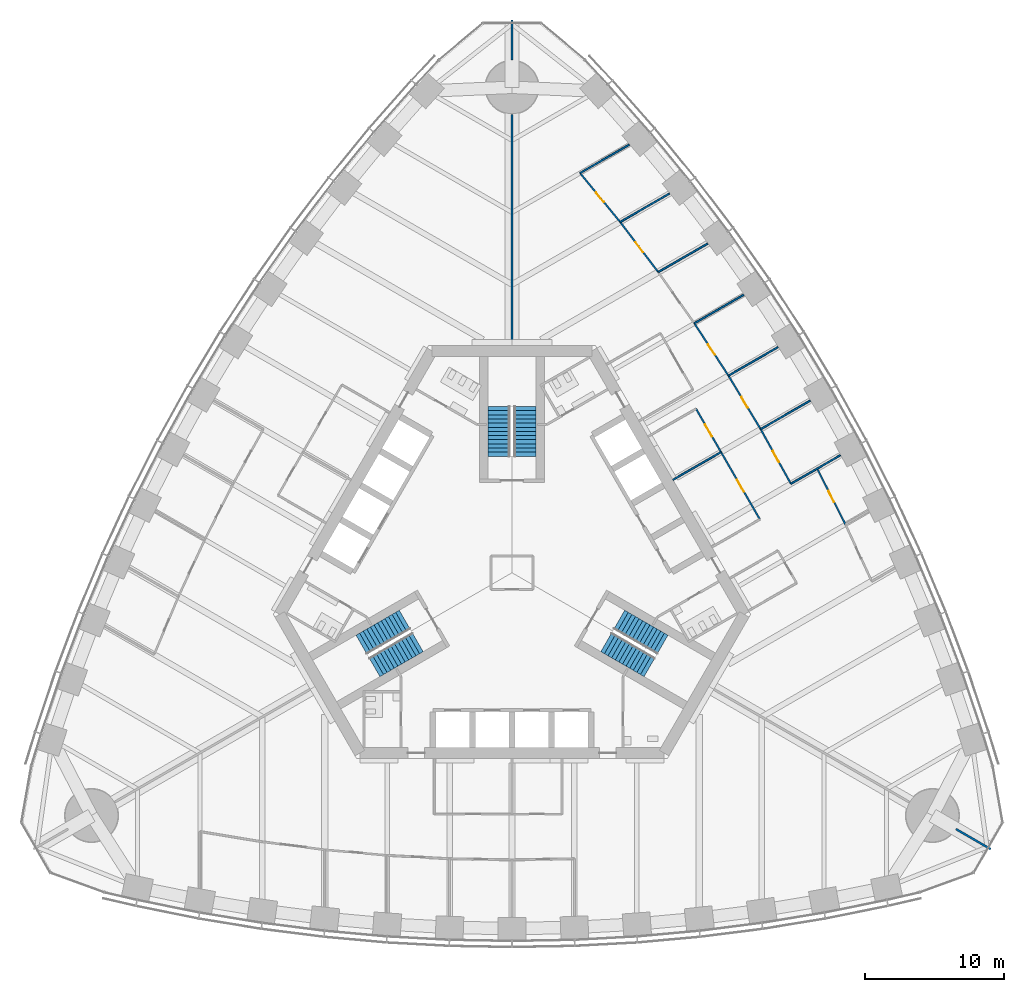
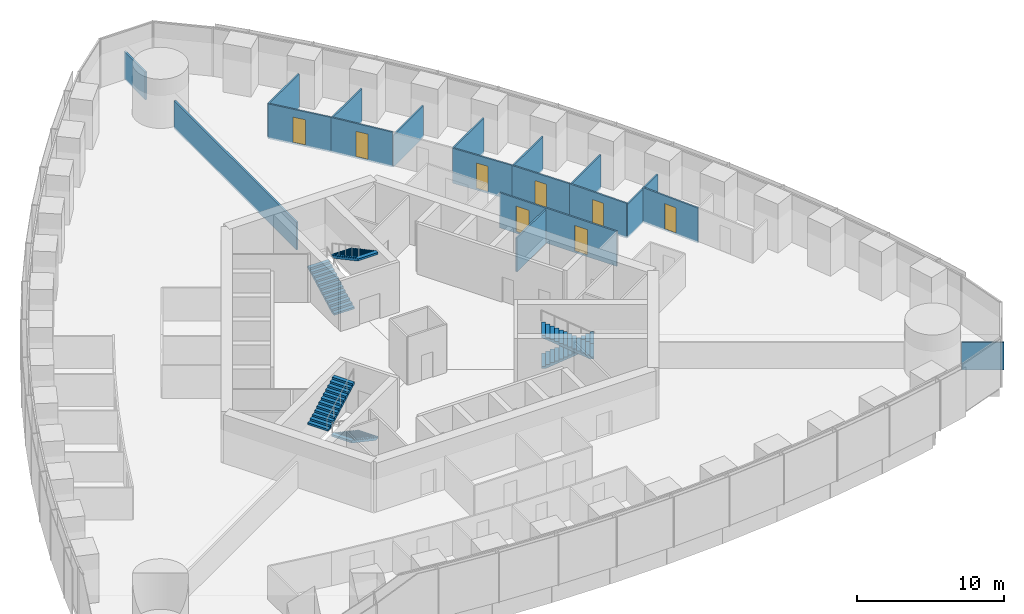
# One storey, part 13 of 18: 19 walls, 8 doors, 6 stair flights, 8 openings, 3 elements without a shape of their own.
"""IFC4 building model written with IfcOpenShell, lengths in metres."""

from ifc_helpers import new_model, si_unit, direction, frame, frame_2d, origin, place, context, subcontext, project, spatial, polyline, rectangle, outline, extrude, material, layer, layer_set, type_object, element, fill, aggregate, save


model = new_model("IFC4")

# Units and contexts
model_context = context("Model", 3, precision=1e-05, world=origin(), true_north=direction((0.0, 1.0)))
body_context = subcontext(model_context, "Body", "Model", "MODEL_VIEW")
ifc_project = project(units=[si_unit("LENGTHUNIT", "METRE"), si_unit("AREAUNIT", "SQUARE_METRE"), si_unit("VOLUMEUNIT", "CUBIC_METRE"), si_unit("PLANEANGLEUNIT", "RADIAN"), si_unit("MASSUNIT", "GRAM", prefix="KILO")], contexts=[model_context])

# Site, building, storey
site_placement = place(None, origin())
site = spatial("IfcSite", under=ifc_project, at=site_placement, CompositionType="ELEMENT")
building_placement = place(site_placement, origin())
building = spatial("IfcBuilding", under=site, at=building_placement, Name="Trefoil Bronze Tower", CompositionType="ELEMENT")
storey_placement = place(building_placement, frame((0.0, 0.0, 157.699951171875)))
storey = spatial("IfcBuildingStorey", under=building, at=storey_placement, Name="L36", CompositionType="ELEMENT", Elevation=157.699951171875)

# Wall, opening, door
ifc_material_1 = material(Name="Glazed partition", Category="glass")
ifc_layer_1 = layer(ifc_material_1, 0.1201171875)
ifc_layer_set_1 = layer_set([ifc_layer_1], Name="Glazed partition 120")
wall_type_1 = type_object("IfcWallType", Name="Glazed partition 120", PredefinedType="PARTITIONING", material=ifc_layer_set_1)
wall_1_placement = place(storey_placement, frame((15.06884765625, 8.699951171875, 0.0), z_axis=(0.0, 0.0, 1.0), x_axis=(-0.500012057535, 0.866018442252, 0.0)))
wall_1 = element("IfcWall", 1, at=wall_1_placement, inside=storey, type_object=wall_type_1, Name="Partition F2 L36", PredefinedType="PARTITIONING", context=body_context, shape_type="SweptSolid", body=[
    extrude(rectangle(XDim=3.60009765625, YDim=0.1201171875, at=frame_2d((1.800048828125, 0.0))), origin(), (0.0, 0.0, 1.0), 2.900146484375),
])
opening_1_placement = place(wall_1_placement, frame((1.300048828125, 0.0, 0.14990234375)))
opening_1 = element("IfcOpeningElement", 2, at=opening_1_placement, cuts=wall_1, Name="Opening D9", PredefinedType="OPENING", context=body_context, shape_type="SweptSolid", body=[
    extrude(rectangle(XDim=1.0, YDim=2.10009765625, at=frame_2d((0.5, 1.050048828125))), frame((0.0, 0.070068359375, 0.0), z_axis=(0.0, -1.0, 0.0), x_axis=(1.0, 0.0, 0.0)), (0.0, 0.0, 1.0), 0.14013671875),
])
ifc_material_2 = material(Name="Glazed timber door", Category="wood")
door_type_1 = type_object("IfcDoorType", Name="Meeting room door 1000", OperationType="SINGLE_SWING_LEFT", PredefinedType="DOOR", material=ifc_material_2)
door_1_placement = place(opening_1_placement, origin())
door_1 = element("IfcDoor", 3, at=door_1_placement, inside=storey, type_object=door_type_1, Name="Meeting room door F2 L36", OperationType="SINGLE_SWING_LEFT", OverallHeight=2.10009765625, OverallWidth=1.0, PredefinedType="DOOR", context=body_context, shape_type="SweptSolid", body=[
    extrude(rectangle(XDim=1.0, YDim=2.10009765625, at=frame_2d((0.5, 1.050048828125))), frame((0.0, 0.02490234375, 0.0), z_axis=(0.0, -1.0, 0.0), x_axis=(1.0, 0.0, 0.0)), (0.0, 0.0, 1.0), 0.050048828125),
])
fill(opening_1, door_1)

wall_2_placement = place(storey_placement, frame((17.868896484375, 3.850341796875, 0.0), z_axis=(0.0, 0.0, 1.0), x_axis=(-0.500016814911, 0.866015695474, 0.0)))
wall_2 = element("IfcWall", 4, at=wall_2_placement, inside=storey, type_object=wall_type_1, Name="Partition F2 L36", PredefinedType="PARTITIONING", context=body_context, shape_type="SweptSolid", body=[
    extrude(rectangle(XDim=5.599853515625, YDim=0.1201171875, at=frame_2d((2.7998046875, 0.0))), origin(), (0.0, 0.0, 1.0), 2.900146484375),
])
opening_2_placement = place(wall_2_placement, frame((2.300048828125, 0.0, 0.14990234375)))
opening_2 = element("IfcOpeningElement", 5, at=opening_2_placement, cuts=wall_2, Name="Opening D9", PredefinedType="OPENING", context=body_context, shape_type="SweptSolid", body=[
    extrude(rectangle(XDim=1.0, YDim=2.10009765625, at=frame_2d((0.5, 1.050048828125))), frame((0.0, 0.070068359375, 0.0), z_axis=(0.0, -1.0, 0.0), x_axis=(1.0, 0.0, 0.0)), (0.0, 0.0, 1.0), 0.14013671875),
])
door_2_placement = place(opening_2_placement, origin())
door_2 = element("IfcDoor", 6, at=door_2_placement, inside=storey, type_object=door_type_1, Name="Meeting room door F2 L36", OperationType="SINGLE_SWING_RIGHT", OverallHeight=2.10009765625, OverallWidth=1.0, PredefinedType="DOOR", context=body_context, shape_type="SweptSolid", body=[
    extrude(rectangle(XDim=1.0, YDim=2.10009765625, at=frame_2d((0.5, 1.050048828125))), frame((0.0, 0.02490234375, 0.0), z_axis=(0.0, -1.0, 0.0), x_axis=(1.0, 0.0, 0.0)), (0.0, 0.0, 1.0), 0.050048828125),
])
fill(opening_2, door_2)

# Wall
wall_3_placement = place(storey_placement, frame((11.604736328125, 6.699951171875, 0.0), z_axis=(0.0, 0.0, 1.0), x_axis=(0.866026010844, 0.49999894854, 0.0)))
element("IfcWall", 7, at=wall_3_placement, inside=storey, type_object=wall_type_1, Name="Partition F2 L36", PredefinedType="PARTITIONING", context=body_context, shape_type="SweptSolid", body=[
    extrude(rectangle(XDim=4.0, YDim=0.1201171875, at=frame_2d((2.0, 0.0))), origin(), (0.0, 0.0, 1.0), 2.800048828125),
])

# Wall, opening, door
wall_4_placement = place(storey_placement, frame((17.926513671875, 10.349853515625, 0.0), z_axis=(0.0, 0.0, 1.0), x_axis=(-0.515548366618, 0.856860479703, 0.0)))
wall_4 = element("IfcWall", 8, at=wall_4_placement, inside=storey, type_object=wall_type_1, Name="Partition F2 L36", PredefinedType="PARTITIONING", context=body_context, shape_type="SweptSolid", body=[
    extrude(rectangle(XDim=4.500732421875, YDim=0.1201171875, at=frame_2d((2.25048828125, 0.0))), origin(), (0.0, 0.0, 1.0), 2.900146484375),
])
opening_3_placement = place(wall_4_placement, frame((1.800048828125, 0.0, 0.14990234375)))
opening_3 = element("IfcOpeningElement", 9, at=opening_3_placement, cuts=wall_4, Name="Opening D8", PredefinedType="OPENING", context=body_context, shape_type="SweptSolid", body=[
    extrude(rectangle(XDim=0.89990234375, YDim=2.10009765625, at=frame_2d((0.449951171875, 1.050048828125))), frame((0.0, 0.070068359375, 0.0), z_axis=(0.0, -1.0, 0.0), x_axis=(1.0, 0.0, 0.0)), (0.0, 0.0, 1.0), 0.14013671875),
])
ifc_material_3 = material(Name="Timber door", Category="wood")
door_type_2 = type_object("IfcDoorType", Name="Office door 900", OperationType="SINGLE_SWING_LEFT", PredefinedType="DOOR", material=ifc_material_3)
door_3_placement = place(opening_3_placement, frame((0.89990234375, 0.0, 0.0), z_axis=(0.0, 0.0, 1.0), x_axis=(-1.0, 0.0, 0.0)))
door_3 = element("IfcDoor", 10, at=door_3_placement, inside=storey, type_object=door_type_2, Name="Office door F2 L36", OperationType="SINGLE_SWING_RIGHT", OverallHeight=2.10009765625, OverallWidth=0.89990234375, PredefinedType="DOOR", context=body_context, shape_type="SweptSolid", body=[
    extrude(rectangle(XDim=0.89990234375, YDim=2.10009765625, at=frame_2d((0.449951171875, 1.050048828125))), frame((0.0, 0.02490234375, 0.0), z_axis=(0.0, -1.0, 0.0), x_axis=(1.0, 0.0, 0.0)), (0.0, 0.0, 1.0), 0.050048828125),
])
fill(opening_3, door_3)

wall_5_placement = place(storey_placement, frame((10.542724609375, 21.67529296875, 0.0), z_axis=(0.0, 0.0, 1.0), x_axis=(-0.605274299339, 0.796016973789, 0.0)))
wall_5 = element("IfcWall", 11, at=wall_5_placement, inside=storey, type_object=wall_type_1, Name="Partition F2 L36", PredefinedType="PARTITIONING", context=body_context, shape_type="SweptSolid", body=[
    extrude(rectangle(XDim=4.5361328125, YDim=0.1201171875, at=frame_2d((2.26806640625, 0.0))), origin(), (0.0, 0.0, 1.0), 2.900146484375),
])
opening_4_placement = place(wall_5_placement, frame((1.800048828125, 0.0, 0.14990234375)))
opening_4 = element("IfcOpeningElement", 12, at=opening_4_placement, cuts=wall_5, Name="Opening D8", PredefinedType="OPENING", context=body_context, shape_type="SweptSolid", body=[
    extrude(rectangle(XDim=0.89990234375, YDim=2.10009765625, at=frame_2d((0.449951171875, 1.050048828125))), frame((0.0, 0.070068359375, 0.0), z_axis=(0.0, -1.0, 0.0), x_axis=(1.0, 0.0, 0.0)), (0.0, 0.0, 1.0), 0.14013671875),
])
door_4_placement = place(opening_4_placement, frame((0.89990234375, 0.0, 0.0), z_axis=(0.0, 0.0, 1.0), x_axis=(-1.0, 0.0, 0.0)))
door_4 = element("IfcDoor", 13, at=door_4_placement, inside=storey, type_object=door_type_2, Name="Office door F2 L36", OperationType="SINGLE_SWING_RIGHT", OverallHeight=2.10009765625, OverallWidth=0.89990234375, PredefinedType="DOOR", context=body_context, shape_type="SweptSolid", body=[
    extrude(rectangle(XDim=0.89990234375, YDim=2.10009765625, at=frame_2d((0.449951171875, 1.050048828125))), frame((0.0, 0.02490234375, 0.0), z_axis=(0.0, -1.0, 0.0), x_axis=(1.0, 0.0, 0.0)), (0.0, 0.0, 1.0), 0.050048828125),
])
fill(opening_4, door_4)

wall_6_placement = place(storey_placement, frame((7.797119140625, 25.2861328125, 0.0), z_axis=(0.0, 0.0, 1.0), x_axis=(-0.633843962561, 0.773460943503, 0.0)))
wall_6 = element("IfcWall", 14, at=wall_6_placement, inside=storey, type_object=wall_type_1, Name="Partition F2 L36", PredefinedType="PARTITIONING", context=body_context, shape_type="SweptSolid", body=[
    extrude(rectangle(XDim=4.560546875, YDim=0.1201171875, at=frame_2d((2.2802734375, 0.0))), origin(), (0.0, 0.0, 1.0), 2.900146484375),
])
opening_5_placement = place(wall_6_placement, frame((1.85009765625, 0.0, 0.14990234375)))
opening_5 = element("IfcOpeningElement", 15, at=opening_5_placement, cuts=wall_6, Name="Opening D8", PredefinedType="OPENING", context=body_context, shape_type="SweptSolid", body=[
    extrude(rectangle(XDim=0.89990234375, YDim=2.10009765625, at=frame_2d((0.449951171875, 1.050048828125))), frame((0.0, 0.070068359375, 0.0), z_axis=(0.0, -1.0, 0.0), x_axis=(1.0, 0.0, 0.0)), (0.0, 0.0, 1.0), 0.14013671875),
])
door_5_placement = place(opening_5_placement, frame((0.89990234375, 0.0, 0.0), z_axis=(0.0, 0.0, 1.0), x_axis=(-1.0, 0.0, 0.0)))
door_5 = element("IfcDoor", 16, at=door_5_placement, inside=storey, type_object=door_type_2, Name="Office door F2 L36", OperationType="SINGLE_SWING_LEFT", OverallHeight=2.10009765625, OverallWidth=0.89990234375, PredefinedType="DOOR", context=body_context, shape_type="SweptSolid", body=[
    extrude(rectangle(XDim=0.89990234375, YDim=2.10009765625, at=frame_2d((0.449951171875, 1.050048828125))), frame((0.0, 0.02490234375, 0.0), z_axis=(0.0, -1.0, 0.0), x_axis=(1.0, 0.0, 0.0)), (0.0, 0.0, 1.0), 0.050048828125),
])
fill(opening_5, door_5)

wall_7_placement = place(storey_placement, frame((15.606201171875, 14.206298828125, 0.0), z_axis=(0.0, 0.0, 1.0), x_axis=(-0.546069464151, 0.837739900161, 0.0)))
wall_7 = element("IfcWall", 17, at=wall_7_placement, inside=storey, type_object=wall_type_1, Name="Partition F2 L36", PredefinedType="PARTITIONING", context=body_context, shape_type="SweptSolid", body=[
    extrude(rectangle(XDim=4.506591796875, YDim=0.1201171875, at=frame_2d((2.25341796875, 0.0))), origin(), (0.0, 0.0, 1.0), 2.900146484375),
])
opening_6_placement = place(wall_7_placement, frame((1.800048828125, 0.0, 0.14990234375)))
opening_6 = element("IfcOpeningElement", 18, at=opening_6_placement, cuts=wall_7, Name="Opening D8", PredefinedType="OPENING", context=body_context, shape_type="SweptSolid", body=[
    extrude(rectangle(XDim=0.89990234375, YDim=2.10009765625, at=frame_2d((0.449951171875, 1.050048828125))), frame((0.0, 0.070068359375, 0.0), z_axis=(0.0, -1.0, 0.0), x_axis=(1.0, 0.0, 0.0)), (0.0, 0.0, 1.0), 0.14013671875),
])
door_6_placement = place(opening_6_placement, frame((0.89990234375, 0.0, 0.0), z_axis=(0.0, 0.0, 1.0), x_axis=(-1.0, 0.0, 0.0)))
door_6 = element("IfcDoor", 19, at=door_6_placement, inside=storey, type_object=door_type_2, Name="Office door F2 L36", OperationType="SINGLE_SWING_RIGHT", OverallHeight=2.10009765625, OverallWidth=0.89990234375, PredefinedType="DOOR", context=body_context, shape_type="SweptSolid", body=[
    extrude(rectangle(XDim=0.89990234375, YDim=2.10009765625, at=frame_2d((0.449951171875, 1.050048828125))), frame((0.0, 0.02490234375, 0.0), z_axis=(0.0, -1.0, 0.0), x_axis=(1.0, 0.0, 0.0)), (0.0, 0.0, 1.0), 0.050048828125),
])
fill(opening_6, door_6)

wall_8_placement = place(storey_placement, frame((20.106201171875, 6.412109375, 0.0), z_axis=(0.0, 0.0, 1.0), x_axis=(-0.484292898211, 0.874905931368, 0.0)))
wall_8 = element("IfcWall", 20, at=wall_8_placement, inside=storey, type_object=wall_type_1, Name="Partition F2 L36", PredefinedType="PARTITIONING", context=body_context, shape_type="SweptSolid", body=[
    extrude(rectangle(XDim=4.500732421875, YDim=0.1201171875, at=frame_2d((2.25048828125, 0.0))), origin(), (0.0, 0.0, 1.0), 2.900146484375),
])
opening_7_placement = place(wall_8_placement, frame((1.800048828125, 0.0, 0.14990234375)))
opening_7 = element("IfcOpeningElement", 21, at=opening_7_placement, cuts=wall_8, Name="Opening D8", PredefinedType="OPENING", context=body_context, shape_type="SweptSolid", body=[
    extrude(rectangle(XDim=0.89990234375, YDim=2.10009765625, at=frame_2d((0.449951171875, 1.050048828125))), frame((0.0, 0.070068359375, 0.0), z_axis=(0.0, -1.0, 0.0), x_axis=(1.0, 0.0, 0.0)), (0.0, 0.0, 1.0), 0.14013671875),
])
door_7_placement = place(opening_7_placement, frame((0.89990234375, 0.0, 0.0), z_axis=(0.0, 0.0, 1.0), x_axis=(-1.0, 0.0, 0.0)))
door_7 = element("IfcDoor", 22, at=door_7_placement, inside=storey, type_object=door_type_2, Name="Office door F2 L36", OperationType="SINGLE_SWING_RIGHT", OverallHeight=2.10009765625, OverallWidth=0.89990234375, PredefinedType="DOOR", context=body_context, shape_type="SweptSolid", body=[
    extrude(rectangle(XDim=0.89990234375, YDim=2.10009765625, at=frame_2d((0.449951171875, 1.050048828125))), frame((0.0, 0.02490234375, 0.0), z_axis=(0.0, -1.0, 0.0), x_axis=(1.0, 0.0, 0.0)), (0.0, 0.0, 1.0), 0.050048828125),
])
fill(opening_7, door_7)

wall_9_placement = place(storey_placement, frame((24.037353515625, 3.48583984375, 0.0), z_axis=(0.0, 0.0, 1.0), x_axis=(-0.452428593635, 0.891800632239, 0.0)))
wall_9 = element("IfcWall", 23, at=wall_9_placement, inside=storey, type_object=wall_type_1, Name="Partition F2 L36", PredefinedType="PARTITIONING", context=body_context, shape_type="SweptSolid", body=[
    extrude(rectangle(XDim=4.50634765625, YDim=0.1201171875, at=frame_2d((2.253173828125, 0.0))), origin(), (0.0, 0.0, 1.0), 2.900146484375),
])
opening_8_placement = place(wall_9_placement, frame((1.800048828125, 0.0, 0.14990234375)))
opening_8 = element("IfcOpeningElement", 24, at=opening_8_placement, cuts=wall_9, Name="Opening D8", PredefinedType="OPENING", context=body_context, shape_type="SweptSolid", body=[
    extrude(rectangle(XDim=0.89990234375, YDim=2.10009765625, at=frame_2d((0.449951171875, 1.050048828125))), frame((0.0, 0.070068359375, 0.0), z_axis=(0.0, -1.0, 0.0), x_axis=(1.0, 0.0, 0.0)), (0.0, 0.0, 1.0), 0.14013671875),
])
door_8_placement = place(opening_8_placement, frame((0.89990234375, 0.0, 0.0), z_axis=(0.0, 0.0, 1.0), x_axis=(-1.0, 0.0, 0.0)))
door_8 = element("IfcDoor", 25, at=door_8_placement, inside=storey, type_object=door_type_2, Name="Print and store room door F2 L36", OperationType="SINGLE_SWING_RIGHT", OverallHeight=2.10009765625, OverallWidth=0.89990234375, PredefinedType="DOOR", context=body_context, shape_type="SweptSolid", body=[
    extrude(rectangle(XDim=0.89990234375, YDim=2.10009765625, at=frame_2d((0.449951171875, 1.050048828125))), frame((0.0, 0.02490234375, 0.0), z_axis=(0.0, -1.0, 0.0), x_axis=(1.0, 0.0, 0.0)), (0.0, 0.0, 1.0), 0.050048828125),
])
fill(opening_8, door_8)

# Walls
wall_10_placement = place(storey_placement, frame((17.926513671875, 10.349853515625, 0.0), z_axis=(0.0, 0.0, 1.0), x_axis=(0.866009926209, 0.50002680699, 0.0)))
element("IfcWall", 26, at=wall_10_placement, inside=storey, type_object=wall_type_1, Name="Partition F2 L36", PredefinedType="PARTITIONING", context=body_context, shape_type="SweptSolid", body=[
    extrude(rectangle(XDim=4.119873046875, YDim=0.1201171875, at=frame_2d((2.06005859375, 0.0))), origin(), (0.0, 0.0, 1.0), 2.800048828125),
])
wall_11_placement = place(storey_placement, frame((10.542724609375, 21.67529296875, 0.0), z_axis=(0.0, 0.0, 1.0), x_axis=(0.866019409031, 0.500010383074, 0.0)))
element("IfcWall", 27, at=wall_11_placement, inside=storey, type_object=wall_type_1, Name="Partition F2 L36", PredefinedType="PARTITIONING", context=body_context, shape_type="SweptSolid", body=[
    extrude(rectangle(XDim=4.1103515625, YDim=0.1201171875, at=frame_2d((2.05517578125, 0.0))), origin(), (0.0, 0.0, 1.0), 2.60009765625),
])
wall_12_placement = place(storey_placement, frame((7.797119140625, 25.2861328125, 0.0), z_axis=(0.0, 0.0, 1.0), x_axis=(0.866019112135, 0.500010897298, 0.0)))
element("IfcWall", 28, at=wall_12_placement, inside=storey, type_object=wall_type_1, Name="Partition F2 L36", PredefinedType="PARTITIONING", context=body_context, shape_type="SweptSolid", body=[
    extrude(rectangle(XDim=4.10302734375, YDim=0.1201171875, at=frame_2d((2.051513671875, 0.0))), origin(), (0.0, 0.0, 1.0), 2.800048828125),
])
wall_13_placement = place(storey_placement, frame((4.906494140625, 28.8134765625, 0.0), z_axis=(0.0, 0.0, 1.0), x_axis=(0.86601374377, 0.500020195194, 0.0)))
element("IfcWall", 29, at=wall_13_placement, inside=storey, type_object=wall_type_1, Name="Partition F2 L36", PredefinedType="PARTITIONING", context=body_context, shape_type="SweptSolid", body=[
    extrude(rectangle(XDim=4.093017578125, YDim=0.1201171875, at=frame_2d((2.04638671875, 0.0))), origin(), (0.0, 0.0, 1.0), 2.900146484375),
])
wall_14_placement = place(storey_placement, frame((15.606201171875, 14.206298828125, 0.0), z_axis=(0.0, 0.0, 1.0), x_axis=(0.866016800201, 0.500014901547, 0.0)))
element("IfcWall", 30, at=wall_14_placement, inside=storey, type_object=wall_type_1, Name="Partition F2 L36", PredefinedType="PARTITIONING", context=body_context, shape_type="SweptSolid", body=[
    extrude(rectangle(XDim=4.118896484375, YDim=0.1201171875, at=frame_2d((2.0595703125, 0.0))), origin(), (0.0, 0.0, 1.0), 2.800048828125),
])
wall_15_placement = place(storey_placement, frame((13.145263671875, 17.981689453125, 0.0), z_axis=(0.0, 0.0, 1.0), x_axis=(0.866018637367, 0.500011719595, 0.0)))
element("IfcWall", 31, at=wall_15_placement, inside=storey, type_object=wall_type_1, Name="Partition F2 L36", PredefinedType="PARTITIONING", context=body_context, shape_type="SweptSolid", body=[
    extrude(rectangle(XDim=4.11572265625, YDim=0.1201171875, at=frame_2d((2.057861328125, 0.0))), origin(), (0.0, 0.0, 1.0), 2.900146484375),
])
wall_16_placement = place(storey_placement, frame((20.106201171875, 6.412109375, 0.0), z_axis=(0.0, 0.0, 1.0), x_axis=(0.866016800201, 0.500014901547, 0.0)))
element("IfcWall", 32, at=wall_16_placement, inside=storey, type_object=wall_type_1, Name="Partition F2 L36", PredefinedType="PARTITIONING", context=body_context, shape_type="SweptSolid", body=[
    extrude(rectangle(XDim=4.118896484375, YDim=0.1201171875, at=frame_2d((2.0595703125, 0.0))), origin(), (0.0, 0.0, 1.0), 2.800048828125),
])
ifc_material_4 = material(Name="Gypsum board on steel studs", Category="steel")
ifc_layer_2 = layer(ifc_material_4, 0.14990234375)
ifc_layer_set_2 = layer_set([ifc_layer_2], Name="Party wall 150")
wall_type_2 = type_object("IfcWallType", Name="Party wall 150", PredefinedType="PARTITIONING", material=ifc_layer_set_2)
wall_17_placement = place(storey_placement, frame((31.999755859375, -18.47509765625, 0.0), z_axis=(0.0, 0.0, 1.0), x_axis=(0.866042548026, -0.499970304126, 0.0)))
element("IfcWall", 33, at=wall_17_placement, inside=storey, type_object=wall_type_2, Name="Party wall K1 L36", PredefinedType="PARTITIONING", context=body_context, shape_type="SweptSolid", body=[
    extrude(rectangle(XDim=2.899169921875, YDim=0.14990234375, at=frame_2d((1.44970703125, 0.0))), origin(), (0.0, 0.0, 1.0), 2.300048828125),
])
wall_18_placement = place(storey_placement, frame((0.0, 16.39990234375, 0.0), z_axis=(0.0, 0.0, 1.0), x_axis=(0.0, 1.0, 0.0)))
element("IfcWall", 34, at=wall_18_placement, inside=storey, type_object=wall_type_2, Name="Party wall K2 L36", PredefinedType="PARTITIONING", context=body_context, shape_type="SweptSolid", body=[
    extrude(rectangle(XDim=16.650146484375, YDim=0.14990234375, at=frame_2d((8.3251953125, 0.0))), origin(), (0.0, 0.0, 1.0), 2.300048828125),
])
wall_19_placement = place(storey_placement, frame((0.0, 36.949951171875, 0.0), z_axis=(0.0, 0.0, 1.0), x_axis=(0.0, 1.0, 0.0)))
element("IfcWall", 35, at=wall_19_placement, inside=storey, type_object=wall_type_2, Name="Party wall K2 L36", PredefinedType="PARTITIONING", context=body_context, shape_type="SweptSolid", body=[
    extrude(rectangle(XDim=2.8994140625, YDim=0.14990234375, at=frame_2d((1.44970703125, 0.0))), origin(), (0.0, 0.0, 1.0), 2.300048828125),
])

# Stair, stair flights
ifc_material_5 = material(Name="Precast concrete B80", Category="concrete")
stair_type = type_object("IfcStairType", Name="Exit stair 26 risers", PredefinedType="HALF_TURN_STAIR", material=ifc_material_5)
stair_1_placement = place(storey_placement, origin())
stair_1 = element("IfcStair", 36, at=stair_1_placement, inside=storey, type_object=stair_type, Name="Stair ST1 L36", PredefinedType="HALF_TURN_STAIR")
ifc_material_6 = material(Name="Precast concrete B80", Category="concrete")
stair_flight_type = type_object("IfcStairFlightType", Name="Stair flight 1600", PredefinedType="STRAIGHT", material=ifc_material_6)
stair_flight_1_placement = place(storey_placement, frame((7.728515625, -3.39404296875, 0.0), z_axis=(0.0, 0.0, 1.0), x_axis=(0.866025403784, -0.5, 0.0)))
stair_flight_1 = element("IfcStairFlight", 37, at=stair_flight_1_placement, type_object=stair_flight_type, Name="ST1 flight 1", NumberOfRisers=13, NumberOfTreads=12, PredefinedType="STRAIGHT", RiserHeight=0.161538462, TreadLength=0.3, context=body_context, shape_type="SweptSolid", body=[
    extrude(outline(polyline([(0.0, 0.0), (0.0, 0.16162109375), (0.300048828125, 0.16162109375), (0.300048828125, 0.322998046875), (0.60009765625, 0.322998046875), (0.60009765625, 0.484619140625), (0.89990234375, 0.484619140625), (0.89990234375, 0.646240234375), (1.199951171875, 0.646240234375), (1.199951171875, 0.8076171875), (1.5, 0.8076171875), (1.5, 0.96923828125), (1.800048828125, 0.96923828125), (1.800048828125, 1.130859375), (2.10009765625, 1.130859375), (2.10009765625, 1.292236328125), (2.39990234375, 1.292236328125), (2.39990234375, 1.453857421875), (2.699951171875, 1.453857421875), (2.699951171875, 1.615478515625), (3.0, 1.615478515625), (3.0, 1.77685546875), (3.300048828125, 1.77685546875), (3.300048828125, 1.9384765625), (3.60009765625, 1.9384765625), (3.60009765625, 2.10009765625), (3.60009765625, 1.768310546875), (0.316162109375, 0.0), (0.0, 0.0)])), frame((0.0, 0.800048828125, 0.0), z_axis=(0.0, -1.0, 0.0), x_axis=(1.0, 0.0, 0.0)), (0.0, 0.0, 1.0), 1.60009765625),
])
stair_flight_2_placement = place(storey_placement, frame((9.921142578125, -6.796142578125, 2.10009765625), z_axis=(0.0, 0.0, 1.0), x_axis=(-0.866025403784, 0.5, 0.0)))
stair_flight_2 = element("IfcStairFlight", 38, at=stair_flight_2_placement, type_object=stair_flight_type, Name="ST1 flight 2", NumberOfRisers=13, NumberOfTreads=12, PredefinedType="STRAIGHT", RiserHeight=0.161538462, TreadLength=0.3, context=body_context, shape_type="SweptSolid", body=[
    extrude(outline(polyline([(0.0, 0.0), (0.0, 0.16162109375), (0.300048828125, 0.16162109375), (0.300048828125, 0.322998046875), (0.60009765625, 0.322998046875), (0.60009765625, 0.484619140625), (0.89990234375, 0.484619140625), (0.89990234375, 0.646240234375), (1.199951171875, 0.646240234375), (1.199951171875, 0.8076171875), (1.5, 0.8076171875), (1.5, 0.96923828125), (1.800048828125, 0.96923828125), (1.800048828125, 1.130859375), (2.10009765625, 1.130859375), (2.10009765625, 1.292236328125), (2.39990234375, 1.292236328125), (2.39990234375, 1.453857421875), (2.699951171875, 1.453857421875), (2.699951171875, 1.615478515625), (3.0, 1.615478515625), (3.0, 1.77685546875), (3.300048828125, 1.77685546875), (3.300048828125, 1.9384765625), (3.60009765625, 1.9384765625), (3.60009765625, 2.10009765625), (3.60009765625, 1.768310546875), (0.316162109375, 0.0), (0.0, 0.0)])), frame((0.0, 0.800048828125, 0.0), z_axis=(0.0, -1.0, 0.0), x_axis=(1.0, 0.0, 0.0)), (0.0, 0.0, 1.0), 1.60009765625),
])
aggregate(stair_1, [stair_flight_1, stair_flight_2])

stair_2_placement = place(storey_placement, origin())
stair_2 = element("IfcStair", 39, at=stair_2_placement, inside=storey, type_object=stair_type, Name="Stair ST2 L36", PredefinedType="HALF_TURN_STAIR")
stair_flight_3_placement = place(storey_placement, frame((-0.925048828125, 8.389892578125, 0.0), z_axis=(0.0, 0.0, 1.0), x_axis=(0.0, 1.0, 0.0)))
stair_flight_3 = element("IfcStairFlight", 40, at=stair_flight_3_placement, type_object=stair_flight_type, Name="ST2 flight 1", NumberOfRisers=13, NumberOfTreads=12, PredefinedType="STRAIGHT", RiserHeight=0.161538462, TreadLength=0.3, context=body_context, shape_type="SweptSolid", body=[
    extrude(outline(polyline([(0.0, 0.0), (0.0, 0.16162109375), (0.300048828125, 0.16162109375), (0.300048828125, 0.322998046875), (0.60009765625, 0.322998046875), (0.60009765625, 0.484619140625), (0.89990234375, 0.484619140625), (0.89990234375, 0.646240234375), (1.199951171875, 0.646240234375), (1.199951171875, 0.8076171875), (1.5, 0.8076171875), (1.5, 0.96923828125), (1.800048828125, 0.96923828125), (1.800048828125, 1.130859375), (2.10009765625, 1.130859375), (2.10009765625, 1.292236328125), (2.39990234375, 1.292236328125), (2.39990234375, 1.453857421875), (2.699951171875, 1.453857421875), (2.699951171875, 1.615478515625), (3.0, 1.615478515625), (3.0, 1.77685546875), (3.300048828125, 1.77685546875), (3.300048828125, 1.9384765625), (3.60009765625, 1.9384765625), (3.60009765625, 2.10009765625), (3.60009765625, 1.768310546875), (0.316162109375, 0.0), (0.0, 0.0)])), frame((0.0, 0.800048828125, 0.0), z_axis=(0.0, -1.0, 0.0), x_axis=(1.0, 0.0, 0.0)), (0.0, 0.0, 1.0), 1.60009765625),
])
stair_flight_4_placement = place(storey_placement, frame((0.925048828125, 11.989990234375, 2.10009765625), z_axis=(0.0, 0.0, 1.0), x_axis=(0.0, -1.0, 0.0)))
stair_flight_4 = element("IfcStairFlight", 41, at=stair_flight_4_placement, type_object=stair_flight_type, Name="ST2 flight 2", NumberOfRisers=13, NumberOfTreads=12, PredefinedType="STRAIGHT", RiserHeight=0.161538462, TreadLength=0.3, context=body_context, shape_type="SweptSolid", body=[
    extrude(outline(polyline([(0.0, 0.0), (0.0, 0.16162109375), (0.300048828125, 0.16162109375), (0.300048828125, 0.322998046875), (0.60009765625, 0.322998046875), (0.60009765625, 0.484619140625), (0.89990234375, 0.484619140625), (0.89990234375, 0.646240234375), (1.199951171875, 0.646240234375), (1.199951171875, 0.8076171875), (1.5, 0.8076171875), (1.5, 0.96923828125), (1.800048828125, 0.96923828125), (1.800048828125, 1.130859375), (2.10009765625, 1.130859375), (2.10009765625, 1.292236328125), (2.39990234375, 1.292236328125), (2.39990234375, 1.453857421875), (2.699951171875, 1.453857421875), (2.699951171875, 1.615478515625), (3.0, 1.615478515625), (3.0, 1.77685546875), (3.300048828125, 1.77685546875), (3.300048828125, 1.9384765625), (3.60009765625, 1.9384765625), (3.60009765625, 2.10009765625), (3.60009765625, 1.768310546875), (0.316162109375, 0.0), (0.0, 0.0)])), frame((0.0, 0.800048828125, 0.0), z_axis=(0.0, -1.0, 0.0), x_axis=(1.0, 0.0, 0.0)), (0.0, 0.0, 1.0), 1.60009765625),
])
aggregate(stair_2, [stair_flight_3, stair_flight_4])

stair_3_placement = place(storey_placement, origin())
stair_3 = element("IfcStair", 42, at=stair_3_placement, inside=storey, type_object=stair_type, Name="Stair ST3 L36", PredefinedType="HALF_TURN_STAIR")
stair_flight_5_placement = place(storey_placement, frame((-6.803466796875, -4.99609375, 0.0), z_axis=(0.0, 0.0, 1.0), x_axis=(-0.866025403784, -0.5, 0.0)))
stair_flight_5 = element("IfcStairFlight", 43, at=stair_flight_5_placement, type_object=stair_flight_type, Name="ST3 flight 1", NumberOfRisers=13, NumberOfTreads=12, PredefinedType="STRAIGHT", RiserHeight=0.161538462, TreadLength=0.3, context=body_context, shape_type="SweptSolid", body=[
    extrude(outline(polyline([(0.0, 0.0), (0.0, 0.16162109375), (0.300048828125, 0.16162109375), (0.300048828125, 0.322998046875), (0.60009765625, 0.322998046875), (0.60009765625, 0.484619140625), (0.89990234375, 0.484619140625), (0.89990234375, 0.646240234375), (1.199951171875, 0.646240234375), (1.199951171875, 0.8076171875), (1.5, 0.8076171875), (1.5, 0.96923828125), (1.800048828125, 0.96923828125), (1.800048828125, 1.130859375), (2.10009765625, 1.130859375), (2.10009765625, 1.292236328125), (2.39990234375, 1.292236328125), (2.39990234375, 1.453857421875), (2.699951171875, 1.453857421875), (2.699951171875, 1.615478515625), (3.0, 1.615478515625), (3.0, 1.77685546875), (3.300048828125, 1.77685546875), (3.300048828125, 1.9384765625), (3.60009765625, 1.9384765625), (3.60009765625, 2.10009765625), (3.60009765625, 1.768310546875), (0.316162109375, 0.0), (0.0, 0.0)])), frame((0.0, 0.800048828125, 0.0), z_axis=(0.0, -1.0, 0.0), x_axis=(1.0, 0.0, 0.0)), (0.0, 0.0, 1.0), 1.60009765625),
])
stair_flight_6_placement = place(storey_placement, frame((-10.84619140625, -5.19384765625, 2.10009765625), z_axis=(0.0, 0.0, 1.0), x_axis=(0.866025403784, 0.5, 0.0)))
stair_flight_6 = element("IfcStairFlight", 44, at=stair_flight_6_placement, type_object=stair_flight_type, Name="ST3 flight 2", NumberOfRisers=13, NumberOfTreads=12, PredefinedType="STRAIGHT", RiserHeight=0.161538462, TreadLength=0.3, context=body_context, shape_type="SweptSolid", body=[
    extrude(outline(polyline([(0.0, 0.0), (0.0, 0.16162109375), (0.300048828125, 0.16162109375), (0.300048828125, 0.322998046875), (0.60009765625, 0.322998046875), (0.60009765625, 0.484619140625), (0.89990234375, 0.484619140625), (0.89990234375, 0.646240234375), (1.199951171875, 0.646240234375), (1.199951171875, 0.8076171875), (1.5, 0.8076171875), (1.5, 0.96923828125), (1.800048828125, 0.96923828125), (1.800048828125, 1.130859375), (2.10009765625, 1.130859375), (2.10009765625, 1.292236328125), (2.39990234375, 1.292236328125), (2.39990234375, 1.453857421875), (2.699951171875, 1.453857421875), (2.699951171875, 1.615478515625), (3.0, 1.615478515625), (3.0, 1.77685546875), (3.300048828125, 1.77685546875), (3.300048828125, 1.9384765625), (3.60009765625, 1.9384765625), (3.60009765625, 2.10009765625), (3.60009765625, 1.768310546875), (0.316162109375, 0.0), (0.0, 0.0)])), frame((0.0, 0.800048828125, 0.0), z_axis=(0.0, -1.0, 0.0), x_axis=(1.0, 0.0, 0.0)), (0.0, 0.0, 1.0), 1.60009765625),
])
aggregate(stair_3, [stair_flight_5, stair_flight_6])

save(model, "model.ifc")
